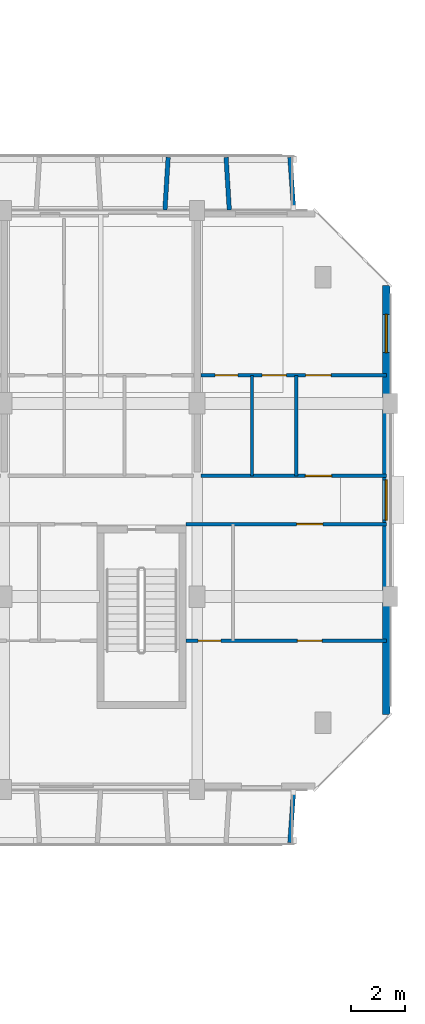
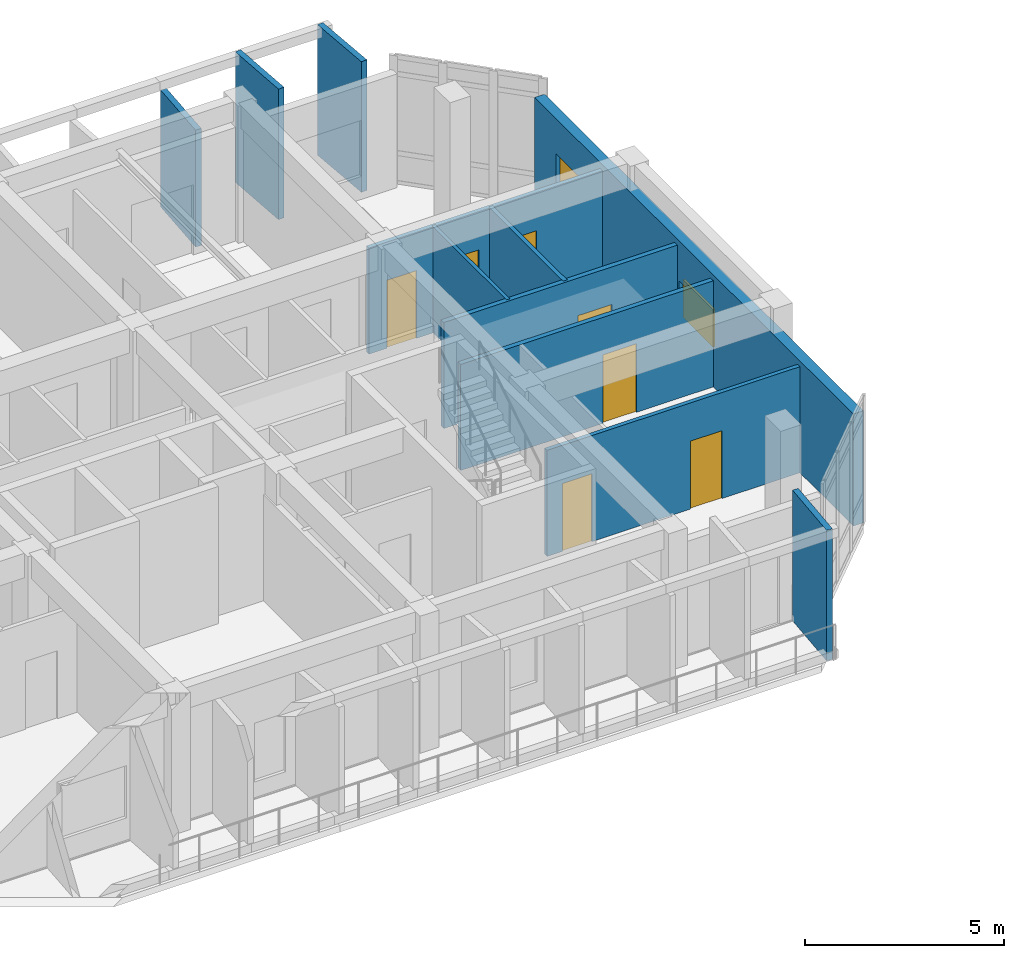
# One storey, part 62 of 85: 11 walls, 7 doors, 2 windows, 9 openings.
"""IFC4 building model written with IfcOpenShell, lengths in metres."""

from ifc_helpers import new_model, si_unit, direction, frame, frame_2d, origin, place, context, subcontext, project, spatial, rectangle, extrude, material, layer, layer_set, type_object, element, fill, save


model = new_model("IFC4")

# Units and contexts
model_context = context("Model", 3, precision=1e-05, world=origin(), true_north=direction((0.0, 1.0)))
body_context = subcontext(model_context, "Body", "Model", "MODEL_VIEW")
ifc_project = project(units=[si_unit("LENGTHUNIT", "METRE"), si_unit("AREAUNIT", "SQUARE_METRE"), si_unit("VOLUMEUNIT", "CUBIC_METRE"), si_unit("PLANEANGLEUNIT", "RADIAN"), si_unit("MASSUNIT", "GRAM", prefix="KILO")], contexts=[model_context])

# Site, building, storey
site_placement = place(None, origin())
site = spatial("IfcSite", under=ifc_project, at=site_placement, CompositionType="ELEMENT")
building_placement = place(site_placement, origin())
building = spatial("IfcBuilding", under=site, at=building_placement, Name="Ochrevale Crest", CompositionType="ELEMENT")
storey_placement = place(building_placement, frame((0.0, 0.0, 4.5)))
storey = spatial("IfcBuildingStorey", under=building, at=storey_placement, Name="L01", CompositionType="ELEMENT", Elevation=4.5)

# Wall, opening, door
ifc_material_1 = material(Name="Gypsum plasterboard", Category="gypsum")
ifc_layer_1 = layer(ifc_material_1, 0.139892578125)
ifc_layer_set_1 = layer_set([ifc_layer_1], Name="Gypsum plasterboard")
wall_type_1 = type_object("IfcWallType", Name="WL-COR-140", PredefinedType="PARTITIONING", material=ifc_layer_set_1)
wall_1_placement = place(storey_placement, frame((158.5400390625, 83.699951171875, 0.0), z_axis=(0.0, 0.0, 1.0), x_axis=(1.0, 0.0, 0.0)))
wall_1 = element("IfcWall", 1, at=wall_1_placement, inside=storey, type_object=wall_type_1, Name="Apartment D-L01-U5 corridor wall", PredefinedType="PARTITIONING", context=body_context, shape_type="SweptSolid", body=[
    extrude(rectangle(XDim=6.919921875, YDim=0.139892578125, at=frame_2d((3.4599609375, 0.0))), origin(), (0.0, 0.0, 1.0), 3.25),
])
opening_1_placement = place(wall_1_placement, frame((4.875, 0.0, 0.0), z_axis=(0.0, 0.0, 1.0), x_axis=(-1.0, 0.0, 0.0)))
opening_1 = element("IfcOpeningElement", 2, at=opening_1_placement, cuts=wall_1, Name="Opening FD01", PredefinedType="OPENING", context=body_context, shape_type="SweptSolid", body=[
    extrude(rectangle(XDim=0.97998046875, YDim=2.10009765625, at=frame_2d((0.489990234375, 1.050048828125))), frame((0.0, 0.080078125, 0.0), z_axis=(0.0, -1.0, 0.0), x_axis=(1.0, 0.0, 0.0)), (0.0, 0.0, 1.0), 0.159912109375),
])
ifc_material_2 = material(Name="Solid-core FSC hardwood", Category="wood")
door_type_1 = type_object("IfcDoorType", Name="DR-APT-950", OperationType="NOTDEFINED", PredefinedType="DOOR", material=ifc_material_2)
door_1_placement = place(opening_1_placement, origin())
door_1 = element("IfcDoor", 3, at=door_1_placement, inside=storey, type_object=door_type_1, Name="Apartment D-L01-U5 entrance door", OperationType="SINGLE_SWING_RIGHT", OverallHeight=2.10009765625, OverallWidth=0.97998046875, PredefinedType="DOOR", context=body_context, shape_type="SweptSolid", body=[
    extrude(rectangle(XDim=0.97998046875, YDim=2.10009765625, at=frame_2d((0.489990234375, 1.050048828125))), frame((0.0, 0.02490234375, 0.0), z_axis=(0.0, -1.0, 0.0), x_axis=(1.0, 0.0, 0.0)), (0.0, 0.0, 1.0), 0.050048828125),
])
fill(opening_1, door_1)

wall_2_placement = place(storey_placement, frame((157.989990234375, 81.89990234375, 0.0), z_axis=(0.0, 0.0, 1.0), x_axis=(1.0, 0.0, 0.0)))
wall_2 = element("IfcWall", 4, at=wall_2_placement, inside=storey, type_object=wall_type_1, Name="Suite D-L01-CE corridor wall", PredefinedType="PARTITIONING", context=body_context, shape_type="SweptSolid", body=[
    extrude(rectangle(XDim=7.469970703125, YDim=0.139892578125, at=frame_2d((3.73486328125, 0.0))), origin(), (0.0, 0.0, 1.0), 3.25),
])
opening_2_placement = place(wall_2_placement, frame((4.1201171875, 0.0, 0.0)))
opening_2 = element("IfcOpeningElement", 5, at=opening_2_placement, cuts=wall_2, Name="Opening FD01", PredefinedType="OPENING", context=body_context, shape_type="SweptSolid", body=[
    extrude(rectangle(XDim=0.97998046875, YDim=2.10009765625, at=frame_2d((0.489990234375, 1.050048828125))), frame((0.0, 0.080078125, 0.0), z_axis=(0.0, -1.0, 0.0), x_axis=(1.0, 0.0, 0.0)), (0.0, 0.0, 1.0), 0.159912109375),
])
door_2_placement = place(opening_2_placement, origin())
door_2 = element("IfcDoor", 6, at=door_2_placement, inside=storey, type_object=door_type_1, Name="Suite D-L01-CE entrance door", OperationType="SINGLE_SWING_LEFT", OverallHeight=2.10009765625, OverallWidth=0.97998046875, PredefinedType="DOOR", context=body_context, shape_type="SweptSolid", body=[
    extrude(rectangle(XDim=0.97998046875, YDim=2.10009765625, at=frame_2d((0.489990234375, 1.050048828125))), frame((0.0, 0.02490234375, 0.0), z_axis=(0.0, -1.0, 0.0), x_axis=(1.0, 0.0, 0.0)), (0.0, 0.0, 1.0), 0.050048828125),
])
fill(opening_2, door_2)

# Wall, openings, windows
ifc_material_3 = material(Name="Clay face brickwork", Category="masonry")
ifc_layer_2 = layer(ifc_material_3, 0.2900390625)
ifc_layer_set_2 = layer_set([ifc_layer_2], Name="Clay face brickwork")
wall_type_2 = type_object("IfcWallType", Name="WL-EXT-BRICK-290", PredefinedType="SOLIDWALL", material=ifc_layer_set_2)
wall_3_placement = place(storey_placement, frame((165.455078125, 74.800048828125, 0.0), z_axis=(0.0, 0.0, 1.0), x_axis=(0.0, 1.0, 0.0)))
wall_3 = element("IfcWall", 7, at=wall_3_placement, inside=storey, type_object=wall_type_2, Name="Block D L01 external facade wall E3", PredefinedType="SOLIDWALL", context=body_context, shape_type="SweptSolid", body=[
    extrude(rectangle(XDim=16.0, YDim=0.2900390625, at=frame_2d((8.0, 0.0))), origin(), (0.0, 0.0, 1.0), 3.429931640625),
])
opening_3_placement = place(wall_3_placement, frame((7.25, 0.0, 1.050048828125)))
opening_3 = element("IfcOpeningElement", 8, at=opening_3_placement, cuts=wall_3, Name="Opening W18", PredefinedType="OPENING", context=body_context, shape_type="SweptSolid", body=[
    extrude(rectangle(XDim=1.5, YDim=1.14990234375, at=frame_2d((0.75, 0.574951171875))), frame((0.0, 0.155029296875, 0.0), z_axis=(0.0, -1.0, 0.0), x_axis=(1.0, 0.0, 0.0)), (0.0, 0.0, 1.0), 0.31005859375),
])
opening_4_placement = place(wall_3_placement, frame((13.5, 0.0, 0.75)))
opening_4 = element("IfcOpeningElement", 9, at=opening_4_placement, cuts=wall_3, Name="Opening W31", PredefinedType="OPENING", context=body_context, shape_type="SweptSolid", body=[
    extrude(rectangle(XDim=1.419921875, YDim=1.60009765625, at=frame_2d((0.7099609375, 0.800048828125))), frame((0.0, 0.155029296875, 0.0), z_axis=(0.0, -1.0, 0.0), x_axis=(1.0, 0.0, 0.0)), (0.0, 0.0, 1.0), 0.31005859375),
])
ifc_material_4 = material(Name="Anodised aluminium 6063-T5 and low-E double glazing", Category="aluminium")
window_type_1 = type_object("IfcWindowType", Name="WIN-W18", PartitioningType="SINGLE_PANEL", PredefinedType="WINDOW", material=ifc_material_4)
window_1_placement = place(opening_3_placement, origin())
window_1 = element("IfcWindow", 10, at=window_1_placement, inside=storey, type_object=window_type_1, Name="Block D L01 corridor end daylight window E", OverallHeight=1.14990234375, OverallWidth=1.5, PartitioningType="SINGLE_PANEL", PredefinedType="WINDOW", context=body_context, shape_type="SweptSolid", body=[
    extrude(rectangle(XDim=1.5, YDim=1.14990234375, at=frame_2d((0.75, 0.574951171875))), frame((0.0, 0.030029296875, 0.0), z_axis=(0.0, -1.0, 0.0), x_axis=(1.0, 0.0, 0.0)), (0.0, 0.0, 1.0), 0.06005859375),
])
fill(opening_3, window_1)
window_type_2 = type_object("IfcWindowType", Name="WIN-W31", PartitioningType="SINGLE_PANEL", PredefinedType="WINDOW", material=ifc_material_4)
window_2_placement = place(opening_4_placement, origin())
window_2 = element("IfcWindow", 11, at=window_2_placement, inside=storey, type_object=window_type_2, Name="Block D L01 side suite window E", OverallHeight=1.60009765625, OverallWidth=1.419921875, PartitioningType="SINGLE_PANEL", PredefinedType="WINDOW", context=body_context, shape_type="SweptSolid", body=[
    extrude(rectangle(XDim=1.419921875, YDim=1.60009765625, at=frame_2d((0.7099609375, 0.800048828125))), frame((0.0, 0.030029296875, 0.0), z_axis=(0.0, -1.0, 0.0), x_axis=(1.0, 0.0, 0.0)), (0.0, 0.0, 1.0), 0.06005859375),
])
fill(opening_4, window_2)

# Walls
ifc_material_5 = material(Name="Precast concrete C40/50", Category="concrete")
ifc_layer_3 = layer(ifc_material_5, 0.1650390625)
ifc_layer_set_3 = layer_set([ifc_layer_3], Name="Precast concrete C40/50")
wall_type_3 = type_object("IfcWallType", Name="WL-HC-CHEEK-165", PredefinedType="ELEMENTEDWALL", material=ifc_layer_set_3)
wall_4_placement = place(storey_placement, frame((162.0, 71.97998046875, 0.0), z_axis=(0.0, 0.0, 1.0), x_axis=(-0.071194071069, -0.997462482625, 0.0)))
element("IfcWall", 12, at=wall_4_placement, inside=storey, type_object=wall_type_3, Name="Block D L01 S precast honeycomb cheek 13", PredefinedType="ELEMENTEDWALL", context=body_context, shape_type="SweptSolid", body=[
    extrude(rectangle(XDim=1.96484375, YDim=0.1650390625, at=frame_2d((0.982421875, 0.0))), origin(), (0.0, 0.0, 1.0), 4.0),
])
wall_5_placement = place(storey_placement, frame((157.199951171875, 93.6201171875, 0.0), z_axis=(0.0, 0.0, 1.0), x_axis=(0.061170732449, 0.998127317276, 0.0)))
element("IfcWall", 13, at=wall_5_placement, inside=storey, type_object=wall_type_3, Name="Block D L01 N precast honeycomb cheek 11", PredefinedType="ELEMENTEDWALL", context=body_context, shape_type="SweptSolid", body=[
    extrude(rectangle(XDim=1.963623046875, YDim=0.1650390625, at=frame_2d((0.98193359375, 0.0))), origin(), (0.0, 0.0, 1.0), 3.580078125),
])
wall_6_placement = place(storey_placement, frame((159.60009765625, 93.6201171875, 0.0), z_axis=(0.0, 0.0, 1.0), x_axis=(-0.061170732449, 0.998127317276, 0.0)))
element("IfcWall", 14, at=wall_6_placement, inside=storey, type_object=wall_type_3, Name="Block D L01 N precast honeycomb cheek 12", PredefinedType="ELEMENTEDWALL", context=body_context, shape_type="SweptSolid", body=[
    extrude(rectangle(XDim=1.963623046875, YDim=0.1650390625, at=frame_2d((0.98193359375, 0.0))), origin(), (0.0, 0.0, 1.0), 4.0),
])
wall_7_placement = place(storey_placement, frame((162.0, 93.6201171875, 0.0), z_axis=(0.0, 0.0, 1.0), x_axis=(-0.071194071069, 0.997462482625, 0.0)))
element("IfcWall", 15, at=wall_7_placement, inside=storey, type_object=wall_type_3, Name="Block D L01 N precast honeycomb cheek 13", PredefinedType="ELEMENTEDWALL", context=body_context, shape_type="SweptSolid", body=[
    extrude(rectangle(XDim=1.96484375, YDim=0.1650390625, at=frame_2d((0.982421875, 0.0))), origin(), (0.0, 0.0, 1.0), 4.0),
])
ifc_layer_4 = layer(ifc_material_1, 0.1201171875)
ifc_layer_set_4 = layer_set([ifc_layer_4], Name="Gypsum plasterboard")
wall_type_4 = type_object("IfcWallType", Name="WL-PART-120", PredefinedType="PARTITIONING", material=ifc_layer_set_4)
wall_8_placement = place(storey_placement, frame((162.10009765625, 83.699951171875, 0.0), z_axis=(0.0, 0.0, 1.0), x_axis=(0.0, 1.0, 0.0)))
element("IfcWall", 16, at=wall_8_placement, inside=storey, type_object=wall_type_4, Name="Apartment D-L01-U5 kitchen-foyer wall", PredefinedType="PARTITIONING", context=body_context, shape_type="SweptSolid", body=[
    extrude(rectangle(XDim=3.75, YDim=0.1201171875, at=frame_2d((1.875, 0.0))), origin(), (0.0, 0.0, 1.0), 3.25),
])

# Wall, openings, doors
wall_9_placement = place(storey_placement, frame((158.5400390625, 87.449951171875, 0.0), z_axis=(0.0, 0.0, 1.0), x_axis=(1.0, 0.0, 0.0)))
wall_9 = element("IfcWall", 17, at=wall_9_placement, inside=storey, type_object=wall_type_4, Name="Apartment D-L01-U5 central partition", PredefinedType="PARTITIONING", context=body_context, shape_type="SweptSolid", body=[
    extrude(rectangle(XDim=6.919921875, YDim=0.1201171875, at=frame_2d((3.4599609375, 0.0))), origin(), (0.0, 0.0, 1.0), 3.25),
])
opening_5_placement = place(wall_9_placement, frame((0.530029296875, 0.0, 0.0)))
opening_5 = element("IfcOpeningElement", 18, at=opening_5_placement, cuts=wall_9, Name="Opening ID01", PredefinedType="OPENING", context=body_context, shape_type="SweptSolid", body=[
    extrude(rectangle(XDim=0.85009765625, YDim=2.080078125, at=frame_2d((0.425048828125, 1.0400390625))), frame((0.0, 0.070068359375, 0.0), z_axis=(0.0, -1.0, 0.0), x_axis=(1.0, 0.0, 0.0)), (0.0, 0.0, 1.0), 0.14013671875),
])
opening_6_placement = place(wall_9_placement, frame((3.184814453125, 0.0, 0.0), z_axis=(0.0, 0.0, 1.0), x_axis=(-1.0, 0.0, 0.0)))
opening_6 = element("IfcOpeningElement", 19, at=opening_6_placement, cuts=wall_9, Name="Opening ID02", PredefinedType="OPENING", context=body_context, shape_type="SweptSolid", body=[
    extrude(rectangle(XDim=0.89990234375, YDim=2.080078125, at=frame_2d((0.449951171875, 1.0400390625))), frame((0.0, 0.070068359375, 0.0), z_axis=(0.0, -1.0, 0.0), x_axis=(1.0, 0.0, 0.0)), (0.0, 0.0, 1.0), 0.14013671875),
])
opening_7_placement = place(wall_9_placement, frame((3.909912109375, 0.0, 0.0)))
opening_7 = element("IfcOpeningElement", 20, at=opening_7_placement, cuts=wall_9, Name="Opening ID06", PredefinedType="OPENING", context=body_context, shape_type="SweptSolid", body=[
    extrude(rectangle(XDim=0.949951171875, YDim=2.080078125, at=frame_2d((0.47509765625, 1.0400390625))), frame((0.0, 0.070068359375, 0.0), z_axis=(0.0, -1.0, 0.0), x_axis=(1.0, 0.0, 0.0)), (0.0, 0.0, 1.0), 0.14013671875),
])
door_type_2 = type_object("IfcDoorType", Name="DR-INT-900", OperationType="NOTDEFINED", PredefinedType="DOOR", material=ifc_material_2)
door_3_placement = place(opening_6_placement, origin())
door_3 = element("IfcDoor", 21, at=door_3_placement, inside=storey, type_object=door_type_2, Name="Apartment D-L01-U5 Kitchen door", OperationType="SINGLE_SWING_RIGHT", OverallHeight=2.080078125, OverallWidth=0.89990234375, PredefinedType="DOOR", context=body_context, shape_type="SweptSolid", body=[
    extrude(rectangle(XDim=0.89990234375, YDim=2.080078125, at=frame_2d((0.449951171875, 1.0400390625))), frame((0.0, 0.02490234375, 0.0), z_axis=(0.0, -1.0, 0.0), x_axis=(1.0, 0.0, 0.0)), (0.0, 0.0, 1.0), 0.050048828125),
])
fill(opening_6, door_3)
door_type_3 = type_object("IfcDoorType", Name="DR-INT-950", OperationType="NOTDEFINED", PredefinedType="DOOR", material=ifc_material_2)
door_4_placement = place(opening_7_placement, origin())
door_4 = element("IfcDoor", 22, at=door_4_placement, inside=storey, type_object=door_type_3, Name="Apartment D-L01-U5 Living Foyer door", OperationType="SINGLE_SWING_LEFT", OverallHeight=2.080078125, OverallWidth=0.949951171875, PredefinedType="DOOR", context=body_context, shape_type="SweptSolid", body=[
    extrude(rectangle(XDim=0.949951171875, YDim=2.080078125, at=frame_2d((0.47509765625, 1.0400390625))), frame((0.0, 0.02490234375, 0.0), z_axis=(0.0, -1.0, 0.0), x_axis=(1.0, 0.0, 0.0)), (0.0, 0.0, 1.0), 0.050048828125),
])
fill(opening_7, door_4)
door_type_4 = type_object("IfcDoorType", Name="DR-WC-850", OperationType="NOTDEFINED", PredefinedType="DOOR", material=ifc_material_2)
door_5_placement = place(opening_5_placement, origin())
door_5 = element("IfcDoor", 23, at=door_5_placement, inside=storey, type_object=door_type_4, Name="Apartment D-L01-U5 Bathroom door", OperationType="SINGLE_SWING_LEFT", OverallHeight=2.080078125, OverallWidth=0.85009765625, PredefinedType="DOOR", context=body_context, shape_type="SweptSolid", body=[
    extrude(rectangle(XDim=0.85009765625, YDim=2.080078125, at=frame_2d((0.425048828125, 1.0400390625))), frame((0.0, 0.02490234375, 0.0), z_axis=(0.0, -1.0, 0.0), x_axis=(1.0, 0.0, 0.0)), (0.0, 0.0, 1.0), 0.050048828125),
])
fill(opening_5, door_5)

wall_10_placement = place(storey_placement, frame((157.989990234375, 77.550048828125, 0.0), z_axis=(0.0, 0.0, 1.0), x_axis=(1.0, 0.0, 0.0)))
wall_10 = element("IfcWall", 24, at=wall_10_placement, inside=storey, type_object=wall_type_4, Name="Suite D-L01-CE internal wall", PredefinedType="PARTITIONING", context=body_context, shape_type="SweptSolid", body=[
    extrude(rectangle(XDim=7.469970703125, YDim=0.1201171875, at=frame_2d((3.73486328125, 0.0))), origin(), (0.0, 0.0, 1.0), 3.25),
])
opening_8_placement = place(wall_10_placement, frame((1.300048828125, 0.0, 0.0), z_axis=(0.0, 0.0, 1.0), x_axis=(-1.0, 0.0, 0.0)))
opening_8 = element("IfcOpeningElement", 25, at=opening_8_placement, cuts=wall_10, Name="Opening ID01", PredefinedType="OPENING", context=body_context, shape_type="SweptSolid", body=[
    extrude(rectangle(XDim=0.85009765625, YDim=2.080078125, at=frame_2d((0.425048828125, 1.0400390625))), frame((0.0, 0.070068359375, 0.0), z_axis=(0.0, -1.0, 0.0), x_axis=(1.0, 0.0, 0.0)), (0.0, 0.0, 1.0), 0.14013671875),
])
opening_9_placement = place(wall_10_placement, frame((4.14990234375, 0.0, 0.0)))
opening_9 = element("IfcOpeningElement", 26, at=opening_9_placement, cuts=wall_10, Name="Opening ID04", PredefinedType="OPENING", context=body_context, shape_type="SweptSolid", body=[
    extrude(rectangle(XDim=0.919921875, YDim=2.080078125, at=frame_2d((0.4599609375, 1.0400390625))), frame((0.0, 0.070068359375, 0.0), z_axis=(0.0, -1.0, 0.0), x_axis=(1.0, 0.0, 0.0)), (0.0, 0.0, 1.0), 0.14013671875),
])
door_type_5 = type_object("IfcDoorType", Name="DR-INT-920", OperationType="NOTDEFINED", PredefinedType="DOOR", material=ifc_material_2)
door_6_placement = place(opening_9_placement, origin())
door_6 = element("IfcDoor", 27, at=door_6_placement, inside=storey, type_object=door_type_5, Name="Suite D-L01-CE Master Bedroom door", OperationType="SINGLE_SWING_LEFT", OverallHeight=2.080078125, OverallWidth=0.919921875, PredefinedType="DOOR", context=body_context, shape_type="SweptSolid", body=[
    extrude(rectangle(XDim=0.919921875, YDim=2.080078125, at=frame_2d((0.4599609375, 1.0400390625))), frame((0.0, 0.02490234375, 0.0), z_axis=(0.0, -1.0, 0.0), x_axis=(1.0, 0.0, 0.0)), (0.0, 0.0, 1.0), 0.050048828125),
])
fill(opening_9, door_6)
door_7_placement = place(opening_8_placement, origin())
door_7 = element("IfcDoor", 28, at=door_7_placement, inside=storey, type_object=door_type_4, Name="Suite D-L01-CE Bathroom door", OperationType="SINGLE_SWING_RIGHT", OverallHeight=2.080078125, OverallWidth=0.85009765625, PredefinedType="DOOR", context=body_context, shape_type="SweptSolid", body=[
    extrude(rectangle(XDim=0.85009765625, YDim=2.080078125, at=frame_2d((0.425048828125, 1.0400390625))), frame((0.0, 0.02490234375, 0.0), z_axis=(0.0, -1.0, 0.0), x_axis=(1.0, 0.0, 0.0)), (0.0, 0.0, 1.0), 0.050048828125),
])
fill(opening_8, door_7)

# Wall
ifc_layer_5 = layer(ifc_material_1, 0.10009765625)
ifc_layer_set_5 = layer_set([ifc_layer_5], Name="Gypsum plasterboard")
wall_type_5 = type_object("IfcWallType", Name="WL-WET-100", PredefinedType="PARTITIONING", material=ifc_layer_set_5)
wall_11_placement = place(storey_placement, frame((160.449951171875, 83.699951171875, 0.0), z_axis=(0.0, 0.0, 1.0), x_axis=(0.0, 1.0, 0.0)))
element("IfcWall", 29, at=wall_11_placement, inside=storey, type_object=wall_type_5, Name="Apartment D-L01-U5 bath-kitchen wall", PredefinedType="PARTITIONING", context=body_context, shape_type="SweptSolid", body=[
    extrude(rectangle(XDim=3.75, YDim=0.10009765625, at=frame_2d((1.875, 0.0))), origin(), (0.0, 0.0, 1.0), 3.25),
])

save(model, "model.ifc")
